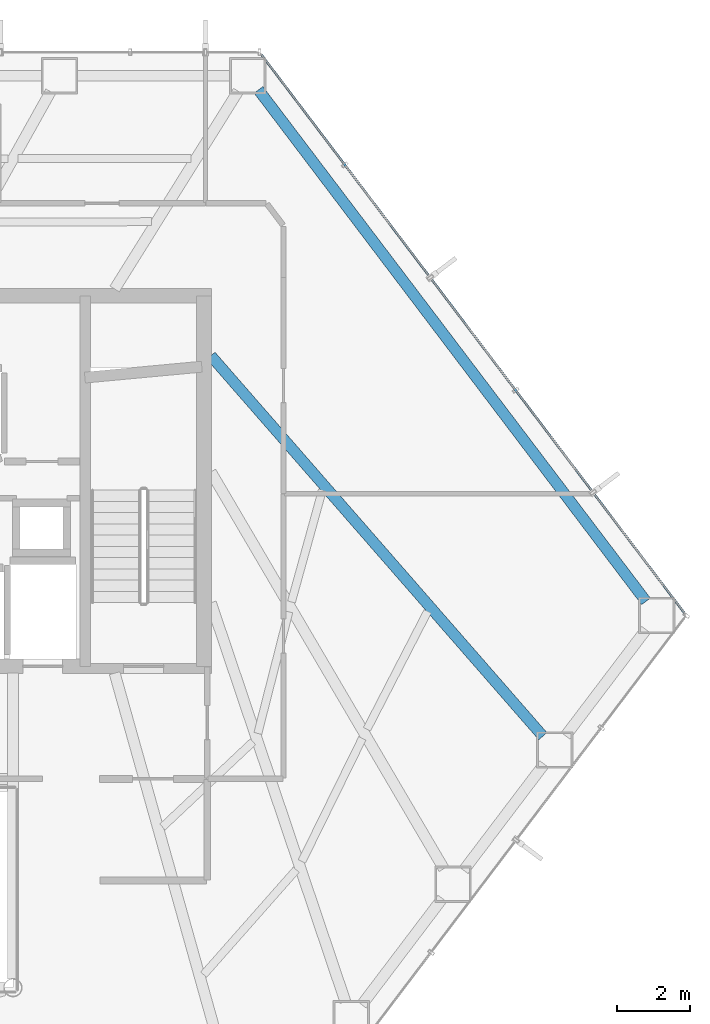
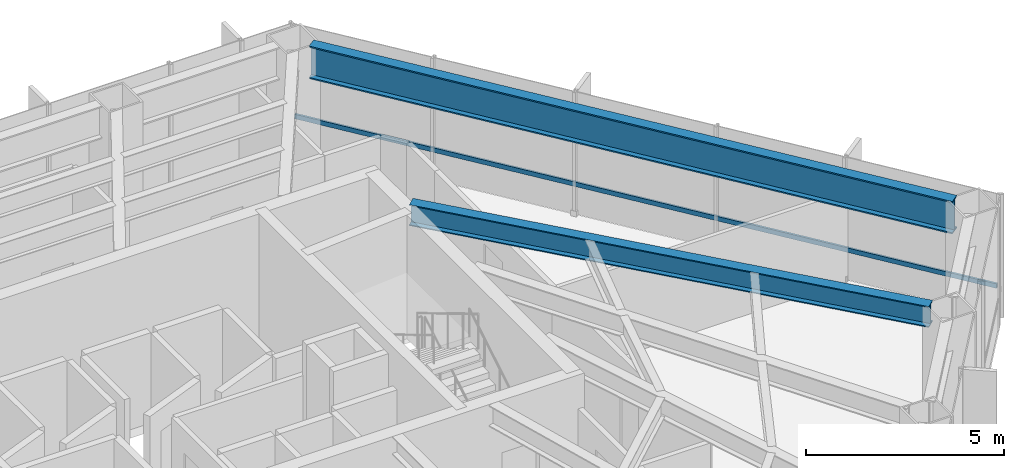
# One storey, part 20 of 26: 2 beams, 1 member, 1 element without a shape of its own.
"""IFC4 building model written with IfcOpenShell, lengths in metres."""

from ifc_helpers import new_model, si_unit, direction, frame, origin, origin_2d, place, context, subcontext, project, spatial, hollow_rectangle, i_section, extrude, material, layer, layer_set, material_profile, profile_set, type_object, element, aggregate, save


model = new_model("IFC4")

# Units and contexts
model_context = context("Model", 3, precision=1e-05, world=origin(), true_north=direction((0.0, 1.0)))
body_context = subcontext(model_context, "Body", "Model", "MODEL_VIEW")
ifc_project = project(units=[si_unit("LENGTHUNIT", "METRE"), si_unit("AREAUNIT", "SQUARE_METRE"), si_unit("VOLUMEUNIT", "CUBIC_METRE"), si_unit("PLANEANGLEUNIT", "RADIAN"), si_unit("MASSUNIT", "GRAM", prefix="KILO")], contexts=[model_context])

# Site, building, storey
site_placement = place(None, origin())
site = spatial("IfcSite", under=ifc_project, at=site_placement, CompositionType="ELEMENT")
building_placement = place(site_placement, origin())
building = spatial("IfcBuilding", under=site, at=building_placement, Name="Zarrinselat Tower", CompositionType="ELEMENT")
storey_placement = place(building_placement, frame((0.0, 0.0, 27.5400390625)))
storey = spatial("IfcBuildingStorey", under=building, at=storey_placement, Name="L06", CompositionType="ELEMENT", Elevation=27.5400390625)

# Beams
ifc_material_1 = material(Name="Steel S355J2", Category="steel")
ifc_material_profile_1 = material_profile(ifc_material_1, i_section(OverallWidth=0.300048828125, OverallDepth=0.64990234375, WebThickness=0.01611328125, FlangeThickness=0.031005859375, at=origin_2d()), Name="HEB 650")
ifc_profile_set_1 = profile_set([ifc_material_profile_1], Name="Steel S355J2")
beam_type_1 = type_object("IfcBeamType", Name="BM-HEB650", PredefinedType="BEAM", material=ifc_profile_set_1)
beam_1_placement = place(storey_placement, frame((48.449951171875, 41.800048828125, 3.494873046875), z_axis=(0.657504524112, -0.753450596106, 0.0), x_axis=(0.753450596106, 0.657504524112, 0.0)))
element("IfcBeam", 1, at=beam_1_placement, inside=storey, type_object=beam_type_1, Name="L06 Radial Primary Girder RG14", PredefinedType="BEAM", context=body_context, shape_type="SweptSolid", body=[
    extrude(i_section(OverallWidth=0.300048828125, OverallDepth=0.64990234375, WebThickness=0.01611328125, FlangeThickness=0.031005859375, at=origin_2d()), origin(), (0.0, 0.0, 1.0), 13.903564453125),
])
ifc_material_2 = material(Name="Steel S460M", Category="steel")
ifc_material_profile_2 = material_profile(ifc_material_2, i_section(OverallWidth=0.302001953125, OverallDepth=1.008056640625, WebThickness=0.02099609375, FlangeThickness=0.0400390625, at=origin_2d()), Name="HEM 1000")
ifc_profile_set_2 = profile_set([ifc_material_profile_2], Name="Steel S460M")
beam_type_2 = type_object("IfcBeamType", Name="BM-HEM1000", PredefinedType="BEAM", material=ifc_profile_set_2)
beam_2_placement = place(storey_placement, frame((49.760986328125, 49.1220703125, 3.31591796875), z_axis=(0.603857155977, -0.797092551198, 0.0), x_axis=(0.797092551198, 0.603857155977, 0.0)))
element("IfcBeam", 2, at=beam_2_placement, inside=storey, type_object=beam_type_2, Name="L06 Perimeter Spandrel Girder SP15", PredefinedType="BEAM", context=body_context, shape_type="SweptSolid", body=[
    extrude(i_section(OverallWidth=0.302001953125, OverallDepth=1.008056640625, WebThickness=0.02099609375, FlangeThickness=0.0400390625, at=origin_2d()), origin(), (0.0, 0.0, 1.0), 17.67041015625),
])

# Curtain wall, member
ifc_material_3 = material(Name="Extruded Aluminium Alloy EN AW-6063 T6", Category="aluminium")
ifc_layer = layer(ifc_material_3, 0.18505859375)
ifc_layer_set = layer_set([ifc_layer], Name="Extruded Aluminium Alloy EN AW-6063 T6")
curtain_wall_type = type_object("IfcCurtainWallType", Name="CWS-OFF", PredefinedType="NOTDEFINED", material=ifc_layer_set)
curtain_wall_placement = place(storey_placement, origin())
curtain_wall = element("IfcCurtainWall", 3, at=curtain_wall_placement, inside=storey, type_object=curtain_wall_type, Name="L06 Unitised Curtain Wall CW-L06-E06", PredefinedType="NOTDEFINED")
ifc_material_4 = material(Name="Extruded Aluminium Alloy EN AW-6063 T6", Category="aluminium")
ifc_material_profile_3 = material_profile(ifc_material_4, hollow_rectangle(XDim=0.06005859375, YDim=0.139892578125, WallThickness=0.00390625, at=origin_2d()), Name="RHS 140x60x4")
ifc_profile_set_3 = profile_set([ifc_material_profile_3], Name="Extruded Aluminium Alloy EN AW-6063 T6")
member_type = type_object("IfcMemberType", Name="MEM-CW-TRN", PredefinedType="USERDEFINED", material=ifc_profile_set_3)
member_placement = place(storey_placement, frame((61.4873046875, 34.7197265625, 0.949951171875), z_axis=(-0.603854275135, 0.797094733643, 0.0), x_axis=(-0.797094733643, -0.603854275135, 0.0)))
member = element("IfcMember", 4, at=member_placement, type_object=member_type, Name="CW-L06-E06 Transom 1", ObjectType="TRANSOM", PredefinedType="USERDEFINED", context=body_context, shape_type="SweptSolid", body=[
    extrude(hollow_rectangle(XDim=0.06005859375, YDim=0.139892578125, WallThickness=0.00390625, at=origin_2d()), origin(), (0.0, 0.0, 1.0), 19.281982421875),
])
aggregate(curtain_wall, [member])

save(model, "model.ifc")
